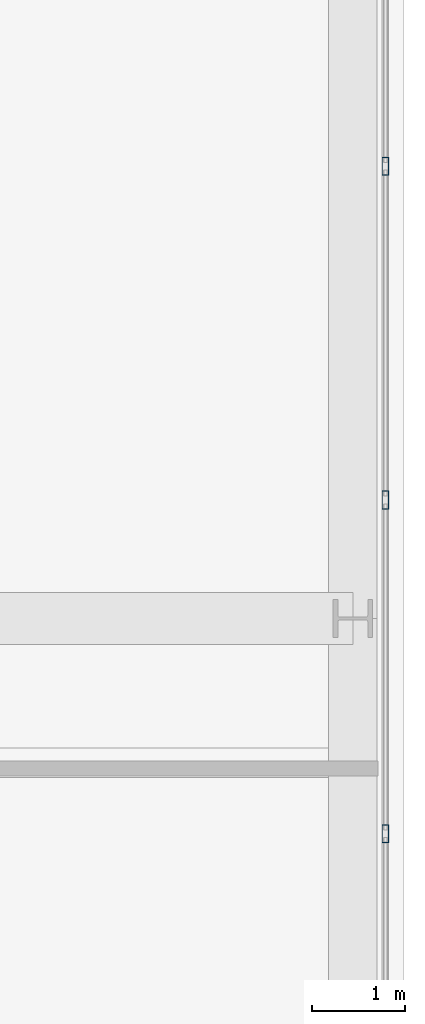
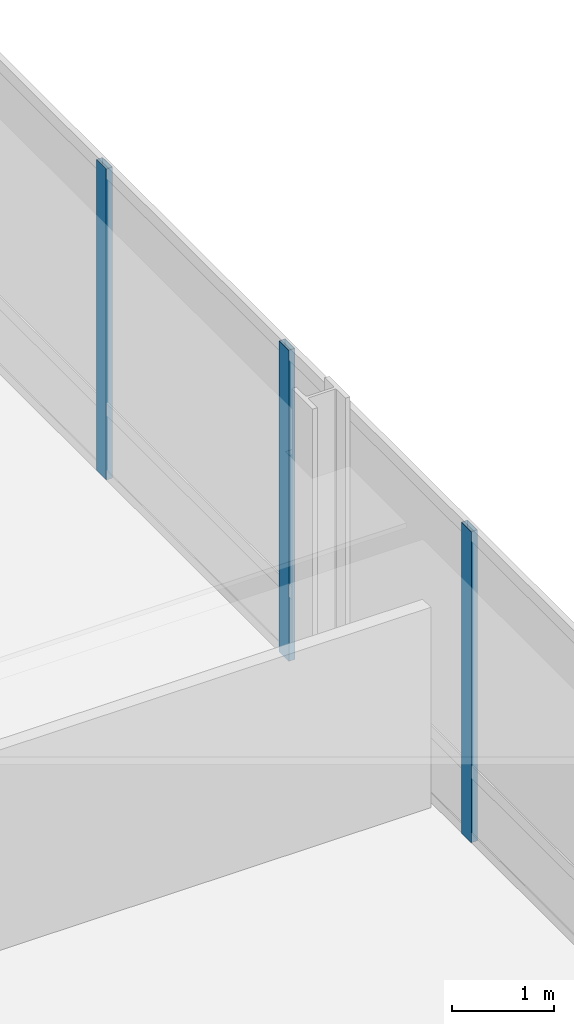
# One storey, part 20 of 35: 3 members, 1 element without a shape of its own.
"""IFC4 building model written with IfcOpenShell, lengths in metres."""

from ifc_helpers import new_model, si_unit, direction, frame, origin, origin_2d, place, context, subcontext, project, spatial, hollow_rectangle, extrude, material, material_profile, profile_set, type_object, element, aggregate, save


model = new_model("IFC4")

# Units and contexts
model_context = context("Model", 3, precision=1e-05, world=origin(), true_north=direction((0.0, 1.0)))
body_context = subcontext(model_context, "Body", "Model", "MODEL_VIEW")
ifc_project = project(units=[si_unit("LENGTHUNIT", "METRE"), si_unit("AREAUNIT", "SQUARE_METRE"), si_unit("VOLUMEUNIT", "CUBIC_METRE"), si_unit("PLANEANGLEUNIT", "RADIAN"), si_unit("MASSUNIT", "GRAM", prefix="KILO")], contexts=[model_context])

# Site, building, storey
site_placement = place(None, origin())
site = spatial("IfcSite", under=ifc_project, at=site_placement, CompositionType="ELEMENT")
building_placement = place(site_placement, origin())
building = spatial("IfcBuilding", under=site, at=building_placement, Name="Punatoya Terracotta Tower", CompositionType="ELEMENT")
storey_placement = place(building_placement, frame((0.0, 0.0, 232.949951171875)))
storey = spatial("IfcBuildingStorey", under=building, at=storey_placement, Name="L55", CompositionType="ELEMENT", Elevation=232.949951171875)

# Curtain wall, members
ifc_material_1 = material(Name="Aluminium 6063-T6 + Double Low-E Glass", Category="aluminium")
curtain_wall_type = type_object("IfcCurtainWallType", Name="CW-M2", PredefinedType="NOTDEFINED", material=ifc_material_1)
curtain_wall_placement = place(storey_placement, origin())
curtain_wall = element("IfcCurtainWall", 1, at=curtain_wall_placement, inside=storey, type_object=curtain_wall_type, Name="L55 Curtain Wall CW-L55-E04-1", PredefinedType="NOTDEFINED")
ifc_material_2 = material(Name="Aluminium 6063-T6", Category="aluminium")
ifc_material_profile = material_profile(ifc_material_2, hollow_rectangle(XDim=0.072021484375, YDim=0.195068359375, WallThickness=0.00439453125, at=origin_2d()))
ifc_profile_set = profile_set([ifc_material_profile], Name="Aluminium 6063-T6")
member_type = type_object("IfcMemberType", Name="CW-MUL-M2", PredefinedType="MULLION", material=ifc_profile_set)
member_1_placement = place(storey_placement, frame((24.85009765625, 1.087158203125, 0.0), z_axis=(0.0, 0.0, 1.0), x_axis=(1.0, 0.0, 0.0)))
member_1 = element("IfcMember", 2, at=member_1_placement, type_object=member_type, Name="CW-L55-E04-1 Mullion 05", PredefinedType="MULLION", context=body_context, shape_type="SweptSolid", body=[
    extrude(hollow_rectangle(XDim=0.072021484375, YDim=0.195068359375, WallThickness=0.00439453125, at=origin_2d()), origin(), (0.0, 0.0, 1.0), 3.72998046875),
])
member_2_placement = place(storey_placement, frame((24.85009765625, 4.674560546875, 0.0), z_axis=(0.0, 0.0, 1.0), x_axis=(1.0, 0.0, 0.0)))
member_2 = element("IfcMember", 3, at=member_2_placement, type_object=member_type, Name="CW-L55-E04-1 Mullion 06", PredefinedType="MULLION", context=body_context, shape_type="SweptSolid", body=[
    extrude(hollow_rectangle(XDim=0.072021484375, YDim=0.195068359375, WallThickness=0.00439453125, at=origin_2d()), origin(), (0.0, 0.0, 1.0), 3.72998046875),
])
member_3_placement = place(storey_placement, frame((24.85009765625, 8.261962890625, 0.0), z_axis=(0.0, 0.0, 1.0), x_axis=(1.0, 0.0, 0.0)))
member_3 = element("IfcMember", 4, at=member_3_placement, type_object=member_type, Name="CW-L55-E04-1 Mullion 07", PredefinedType="MULLION", context=body_context, shape_type="SweptSolid", body=[
    extrude(hollow_rectangle(XDim=0.072021484375, YDim=0.195068359375, WallThickness=0.00439453125, at=origin_2d()), origin(), (0.0, 0.0, 1.0), 3.72998046875),
])
aggregate(curtain_wall, [member_1, member_2, member_3])

save(model, "model.ifc")
